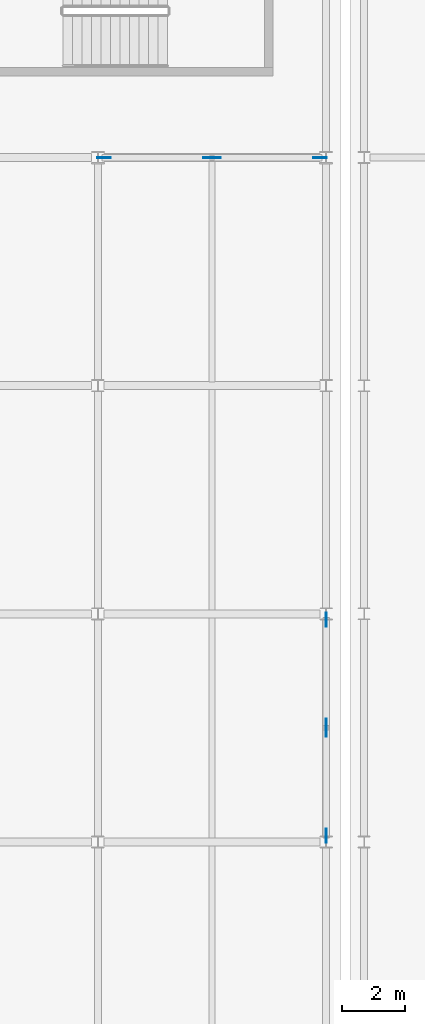
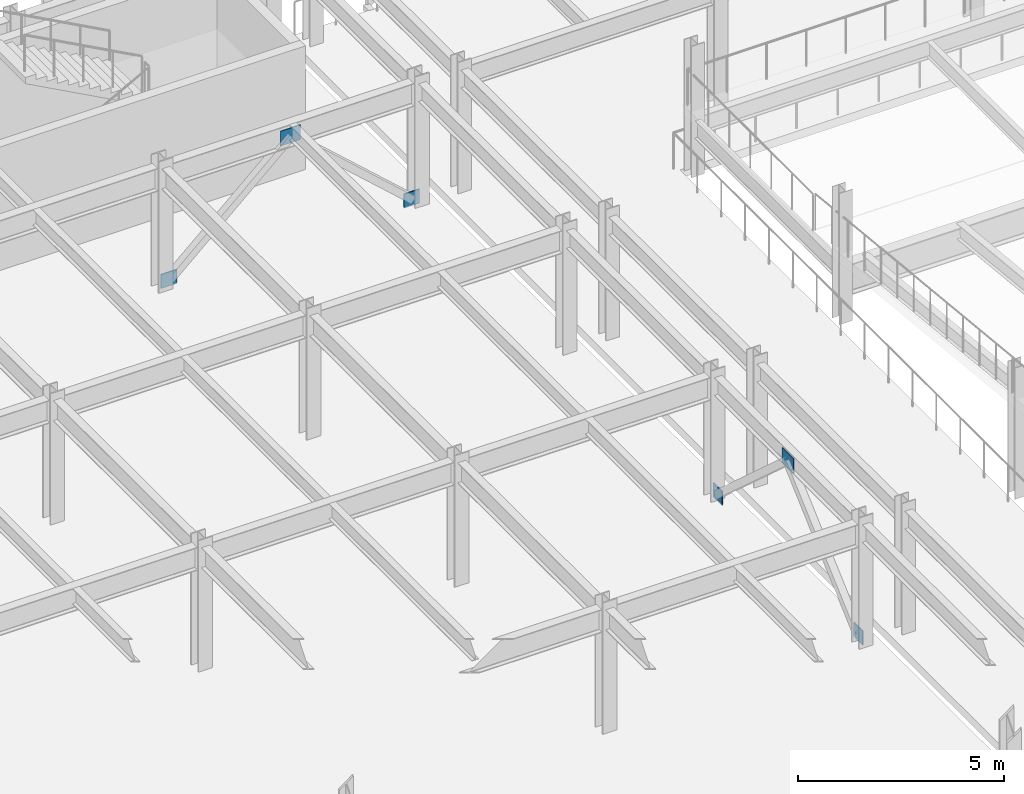
# One storey, part 61 of 93: 6 plates.
"""IFC4 building model written with IfcOpenShell, lengths in metres."""

from ifc_helpers import new_model, si_unit, direction, frame, origin, origin_2d, place, context, subcontext, project, spatial, rectangle, extrude, material, layer, layer_set, type_object, element, save


model = new_model("IFC4")

# Units and contexts
model_context = context("Model", 3, precision=1e-05, world=origin(), true_north=direction((0.0, 1.0)))
body_context = subcontext(model_context, "Body", "Model", "MODEL_VIEW")
ifc_project = project(units=[si_unit("LENGTHUNIT", "METRE"), si_unit("AREAUNIT", "SQUARE_METRE"), si_unit("VOLUMEUNIT", "CUBIC_METRE"), si_unit("PLANEANGLEUNIT", "RADIAN"), si_unit("MASSUNIT", "GRAM", prefix="KILO")], contexts=[model_context])

# Site, building, storey
site_placement = place(None, origin())
site = spatial("IfcSite", under=ifc_project, at=site_placement, CompositionType="ELEMENT")
building_placement = place(site_placement, origin())
building = spatial("IfcBuilding", under=site, at=building_placement, Name="Vaelcorin Mobility Hub", CompositionType="ELEMENT")
storey_placement = place(building_placement, frame((0.0, 0.0, 5.39990234375)))
storey = spatial("IfcBuildingStorey", under=building, at=storey_placement, Name="L01", CompositionType="ELEMENT", Elevation=5.39990234375)

# Plates
ifc_material = material(Name="Steel ASTM A572 Grade 50", Category="steel")
ifc_layer = layer(ifc_material, 0.030029296875)
ifc_layer_set = layer_set([ifc_layer], Name="Steel ASTM A572 Grade 50")
plate_type = type_object("IfcPlateType", Name="PL-GN2", PredefinedType="USERDEFINED", material=ifc_layer_set)
for number, where, z_axis, x_axis, name in (
    (1, (115.389892578125, 112.800048828125, -0.02978515625), (0.0, 0.0, 1.0), (1.0, 0.0, 0.0), "SCBF Gusset Plate GN2 V4-BX2-L01-A"),
    (2, (122.2099609375, 112.800048828125, -0.02978515625), (0.0, 0.0, 1.0), (1.0, 0.0, 0.0), "SCBF Gusset Plate GN2 V4-BX2-L01-B"),
):
    element("IfcPlate", number, at=place(storey_placement, frame(where, z_axis=z_axis, x_axis=x_axis)), inside=storey, type_object=plate_type, Name=name, ObjectType="GUSSET PLATE", PredefinedType="USERDEFINED", context=body_context, shape_type="SweptSolid", body=[
        extrude(rectangle(XDim=0.43994140625, YDim=0.030029296875, at=origin_2d()), origin(), (0.0, 0.0, 1.0), 0.419921875),
    ])
plate_1_placement = place(storey_placement, frame((118.800048828125, 112.800048828125, 3.030029296875), z_axis=(0.0, 0.0, 1.0), x_axis=(1.0, 0.0, 0.0)))
element("IfcPlate", 3, at=plate_1_placement, inside=storey, type_object=plate_type, Name="SCBF Apex Gusset GN2 V4-BX2-L01", ObjectType="GUSSET PLATE", PredefinedType="USERDEFINED", context=body_context, shape_type="SweptSolid", body=[
    extrude(rectangle(XDim=0.56005859375, YDim=0.030029296875, at=origin_2d()), origin(), (0.0, 0.0, 1.0), 0.43994140625),
])
for number, where, z_axis, x_axis, name in (
    (4, (122.39990234375, 91.389892578125, -0.02978515625), (0.0, 0.0, 1.0), (0.0, 1.0, 0.0), "SCBF Gusset Plate GN2 V4-BY2-L01-A"),
    (5, (122.39990234375, 98.2099609375, -0.02978515625), (0.0, 0.0, 1.0), (0.0, 1.0, 0.0), "SCBF Gusset Plate GN2 V4-BY2-L01-B"),
):
    element("IfcPlate", number, at=place(storey_placement, frame(where, z_axis=z_axis, x_axis=x_axis)), inside=storey, type_object=plate_type, Name=name, ObjectType="GUSSET PLATE", PredefinedType="USERDEFINED", context=body_context, shape_type="SweptSolid", body=[
        extrude(rectangle(XDim=0.43994140625, YDim=0.030029296875, at=origin_2d()), origin(), (0.0, 0.0, 1.0), 0.419921875),
    ])
plate_2_placement = place(storey_placement, frame((122.39990234375, 94.800048828125, 3.030029296875), z_axis=(0.0, 0.0, 1.0), x_axis=(0.0, 1.0, 0.0)))
element("IfcPlate", 6, at=plate_2_placement, inside=storey, type_object=plate_type, Name="SCBF Apex Gusset GN2 V4-BY2-L01", ObjectType="GUSSET PLATE", PredefinedType="USERDEFINED", context=body_context, shape_type="SweptSolid", body=[
    extrude(rectangle(XDim=0.56005859375, YDim=0.030029296875, at=origin_2d()), origin(), (0.0, 0.0, 1.0), 0.43994140625),
])

save(model, "model.ifc")
